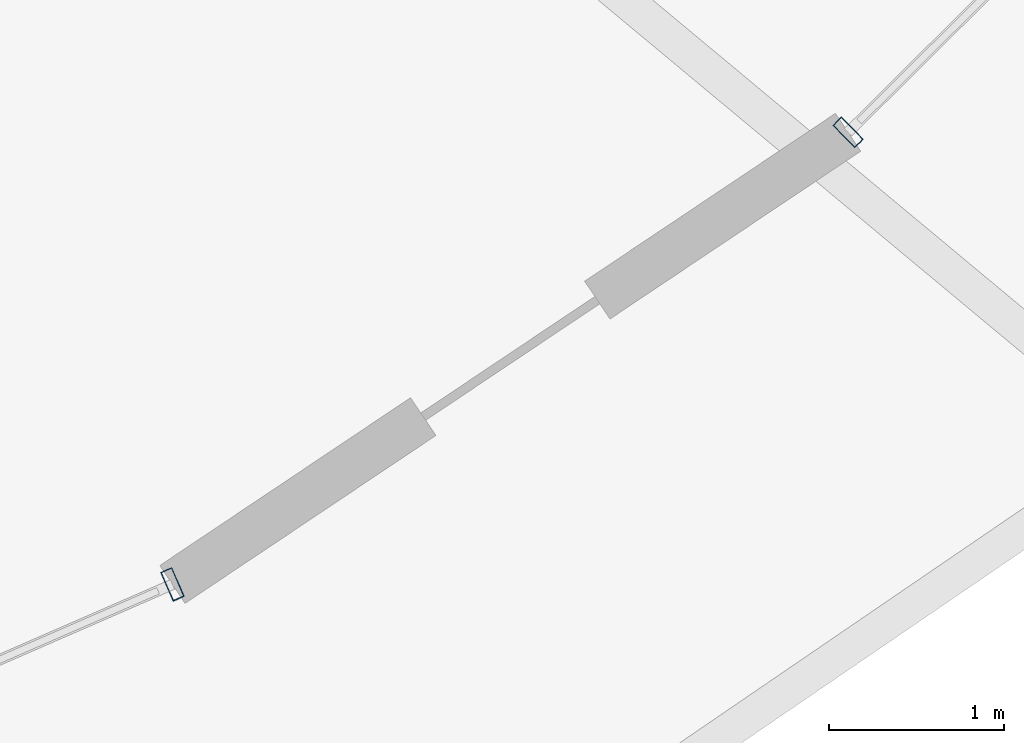
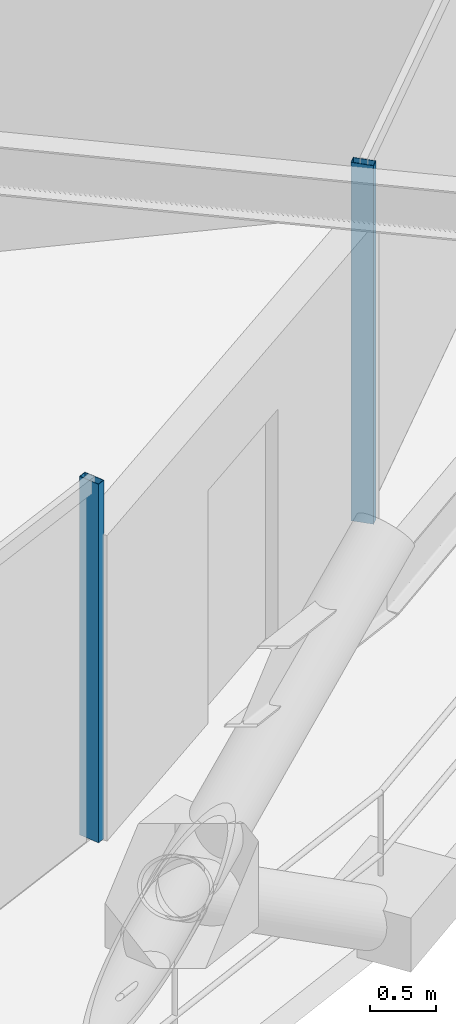
# One storey, part 6 of 20: 2 members, 2 elements without a shape of their own.
"""IFC4 building model written with IfcOpenShell, lengths in metres."""

from ifc_helpers import new_model, si_unit, direction, frame, origin, origin_2d, place, context, subcontext, project, spatial, hollow_rectangle, extrude, material, layer, layer_set, material_profile, profile_set, type_object, element, aggregate, save


model = new_model("IFC4")

# Units and contexts
model_context = context("Model", 3, precision=1e-05, world=origin(), true_north=direction((0.0, 1.0)))
body_context = subcontext(model_context, "Body", "Model", "MODEL_VIEW")
ifc_project = project(units=[si_unit("LENGTHUNIT", "METRE"), si_unit("AREAUNIT", "SQUARE_METRE"), si_unit("VOLUMEUNIT", "CUBIC_METRE"), si_unit("PLANEANGLEUNIT", "RADIAN"), si_unit("MASSUNIT", "GRAM", prefix="KILO")], contexts=[model_context])

# Site, building, storey
site_placement = place(None, origin())
site = spatial("IfcSite", under=ifc_project, at=site_placement, CompositionType="ELEMENT")
building_placement = place(site_placement, origin())
building = spatial("IfcBuilding", under=site, at=building_placement, Name="Veldorina Hangang Commons", CompositionType="ELEMENT")
storey_placement = place(building_placement, frame((0.0, 0.0, 171.199951171875)))
storey = spatial("IfcBuildingStorey", under=building, at=storey_placement, Name="L44", CompositionType="ELEMENT", Elevation=171.199951171875)

# Curtain wall, member
ifc_material_1 = material(Name="Glass Low-E Triple IGU", Category="glass")
ifc_layer = layer(ifc_material_1, 0.179931640625)
ifc_layer_set = layer_set([ifc_layer], Name="Glass Low-E Triple IGU")
curtain_wall_type = type_object("IfcCurtainWallType", Name="CW-SYS-Z2", PredefinedType="NOTDEFINED", material=ifc_layer_set)
curtain_wall_1_placement = place(storey_placement, origin())
curtain_wall_1 = element("IfcCurtainWall", 1, at=curtain_wall_1_placement, inside=storey, type_object=curtain_wall_type, Name="L44 unitised curtain wall CW-L44-R1", PredefinedType="NOTDEFINED")
ifc_material_2 = material(Name="Aluminium Anodized AA6063-T6", Category="aluminium")
ifc_material_profile = material_profile(ifc_material_2, hollow_rectangle(XDim=0.070068359375, YDim=0.179931640625, WallThickness=0.00390625, at=origin_2d()), Name="ALU-RHS-180x70x4")
ifc_profile_set = profile_set([ifc_material_profile], Name="Aluminium Anodized AA6063-T6")
member_type = type_object("IfcMemberType", Name="CW-MUL-180", PredefinedType="MULLION", material=ifc_profile_set)
member_1_placement = place(storey_placement, frame((46.1826171875, 6.694091796875, 0.0), z_axis=(0.0, 0.0, 1.0), x_axis=(-0.916725697371, -0.399517203358, 0.0)))
member_1 = element("IfcMember", 2, at=member_1_placement, type_object=member_type, Name="CW-L44-R1 vertical mullion 5", PredefinedType="MULLION", context=body_context, shape_type="SweptSolid", body=[
    extrude(hollow_rectangle(XDim=0.070068359375, YDim=0.179931640625, WallThickness=0.00390625, at=origin_2d()), origin(), (0.0, 0.0, 1.0), 3.31005859375),
])
aggregate(curtain_wall_1, [member_1])

curtain_wall_2_placement = place(storey_placement, origin())
curtain_wall_2 = element("IfcCurtainWall", 3, at=curtain_wall_2_placement, inside=storey, type_object=curtain_wall_type, Name="L44 unitised curtain wall CW-L44-R2", PredefinedType="NOTDEFINED")
member_2_placement = place(storey_placement, frame((50.05078125, 9.28271484375, 0.0), z_axis=(0.0, 0.0, 1.0), x_axis=(0.709410841843, 0.704795188318, 0.0)))
member_2 = element("IfcMember", 4, at=member_2_placement, type_object=member_type, Name="CW-L44-R2 vertical mullion 1", PredefinedType="MULLION", context=body_context, shape_type="SweptSolid", body=[
    extrude(hollow_rectangle(XDim=0.070068359375, YDim=0.179931640625, WallThickness=0.00390625, at=origin_2d()), origin(), (0.0, 0.0, 1.0), 3.31005859375),
])
aggregate(curtain_wall_2, [member_2])

save(model, "model.ifc")
